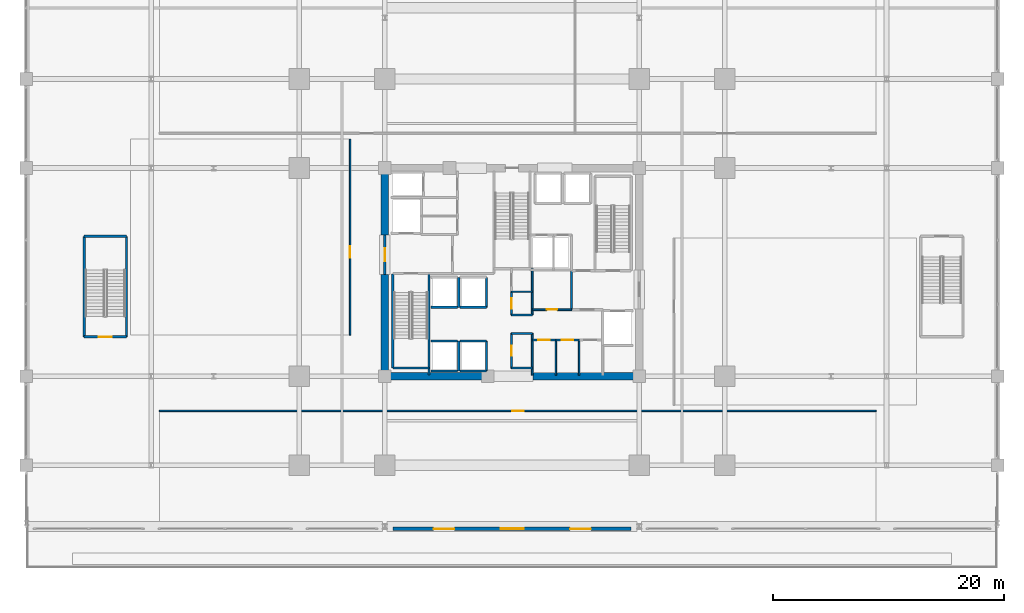
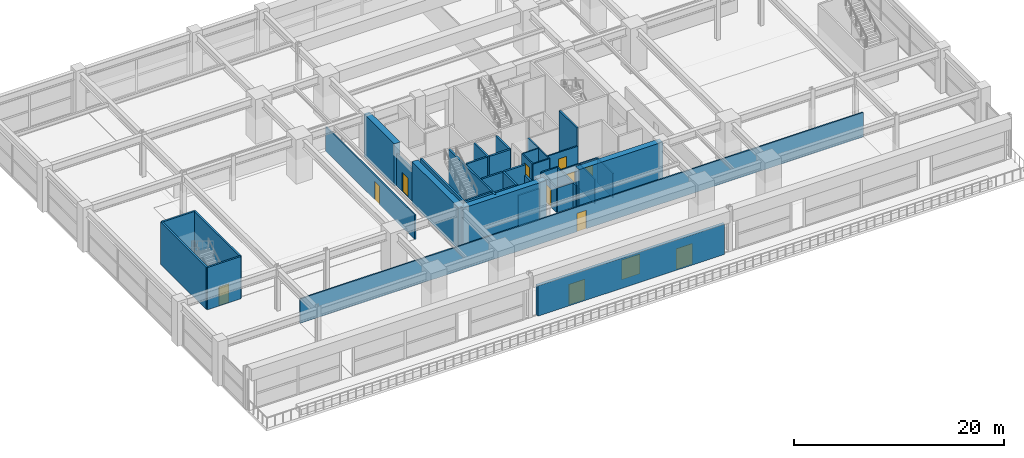
# One storey, part 35 of 43: 39 walls, 11 doors, 1 window, 12 openings.
"""IFC4 building model written with IfcOpenShell, lengths in metres."""

from ifc_helpers import new_model, si_unit, direction, frame, frame_2d, origin, place, context, subcontext, project, spatial, rectangle, extrude, material, layer, layer_set, type_object, element, fill, save


model = new_model("IFC4")

# Units and contexts
model_context = context("Model", 3, precision=1e-05, world=origin(), true_north=direction((0.0, 1.0)))
body_context = subcontext(model_context, "Body", "Model", "MODEL_VIEW")
ifc_project = project(units=[si_unit("LENGTHUNIT", "METRE"), si_unit("AREAUNIT", "SQUARE_METRE"), si_unit("VOLUMEUNIT", "CUBIC_METRE"), si_unit("PLANEANGLEUNIT", "RADIAN"), si_unit("MASSUNIT", "GRAM", prefix="KILO")], contexts=[model_context])

# Site, building, storey
site_placement = place(None, origin())
site = spatial("IfcSite", under=ifc_project, at=site_placement, CompositionType="ELEMENT")
building_placement = place(site_placement, origin())
building = spatial("IfcBuilding", under=site, at=building_placement, Name="Kovane Verandah Tower", CompositionType="ELEMENT")
storey_placement = place(building_placement, frame((0.0, 0.0, 11.199951171875)))
storey = spatial("IfcBuildingStorey", under=building, at=storey_placement, Name="L02", CompositionType="ELEMENT", Elevation=11.199951171875)

# Walls
ifc_material_1 = material(Name="Fire-Rated Gypsum Stud Partition", Category="gypsum")
ifc_layer_1 = layer(ifc_material_1, 0.14990234375)
ifc_layer_set_1 = layer_set([ifc_layer_1], Name="Fire-Rated Gypsum Stud Partition")
wall_type_1 = type_object("IfcWallType", Name="WL-COR-150", PredefinedType="PARTITIONING", material=ifc_layer_set_1)
for number, where, z_axis, x_axis, name in (
    (1, (39.949951171875, 19.199951171875, 0.0), (0.0, 0.0, 1.0), (1.0, 0.0, 0.0), "L02 Central Core Strip South Wall"),
    (2, (39.949951171875, 22.199951171875, 0.0), (0.0, 0.0, 1.0), (1.0, 0.0, 0.0), "L02 Core Cross-Passage South Wall"),
    (3, (39.949951171875, 23.800048828125, 0.0), (0.0, 0.0, 1.0), (1.0, 0.0, 0.0), "L02 Core Cross-Passage North Wall"),
):
    element("IfcWall", number, at=place(storey_placement, frame(where, z_axis=z_axis, x_axis=x_axis)), inside=storey, type_object=wall_type_1, Name=name, PredefinedType="PARTITIONING", context=body_context, shape_type="SweptSolid", body=[
        extrude(rectangle(XDim=1.81005859375, YDim=0.14990234375, at=frame_2d((0.905029296875, 0.0))), origin(), (0.0, 0.0, 1.0), 2.85009765625),
    ])
wall_1_placement = place(storey_placement, frame((41.760009765625, 18.60009765625, 0.0), z_axis=(0.0, 0.0, 1.0), x_axis=(0.0, 1.0, 0.0)))
element("IfcWall", 4, at=wall_1_placement, inside=storey, type_object=wall_type_1, Name="L02 Central Core Strip Lower East Wall", PredefinedType="PARTITIONING", context=body_context, shape_type="SweptSolid", body=[
    extrude(rectangle(XDim=3.599853515625, YDim=0.14990234375, at=frame_2d((1.7998046875, 0.0))), origin(), (0.0, 0.0, 1.0), 2.85009765625),
])
wall_2_placement = place(storey_placement, frame((41.760009765625, 23.800048828125, 0.0), z_axis=(0.0, 0.0, 1.0), x_axis=(0.0, 1.0, 0.0)))
element("IfcWall", 5, at=wall_2_placement, inside=storey, type_object=wall_type_1, Name="L02 Central Core Strip Upper East Wall", PredefinedType="PARTITIONING", context=body_context, shape_type="SweptSolid", body=[
    extrude(rectangle(XDim=4.0, YDim=0.14990234375, at=frame_2d((2.0, 0.0))), origin(), (0.0, 0.0, 1.0), 2.85009765625),
])

# Wall, opening, door
wall_3_placement = place(storey_placement, frame((39.949951171875, 19.199951171875, 0.0), z_axis=(0.0, 0.0, 1.0), x_axis=(0.0, 1.0, 0.0)))
wall_3 = element("IfcWall", 6, at=wall_3_placement, inside=storey, type_object=wall_type_1, Name="L02 Male Toilet Partition", PredefinedType="PARTITIONING", context=body_context, shape_type="SweptSolid", body=[
    extrude(rectangle(XDim=3.0, YDim=0.14990234375, at=frame_2d((1.5, 0.0))), origin(), (0.0, 0.0, 1.0), 2.85009765625),
])
opening_1_placement = place(wall_3_placement, frame((1.050048828125, 0.0, 0.0)))
opening_1 = element("IfcOpeningElement", 7, at=opening_1_placement, cuts=wall_3, Name="Opening DR-L02-029", PredefinedType="OPENING", context=body_context, shape_type="SweptSolid", body=[
    extrude(rectangle(XDim=0.89990234375, YDim=2.10009765625, at=frame_2d((0.449951171875, 1.050048828125))), frame((0.0, 0.074951171875, 0.0), z_axis=(0.0, -1.0, 0.0), x_axis=(1.0, 0.0, 0.0)), (0.0, 0.0, 1.0), 0.14990234375),
])
ifc_material_2 = material(Name="Moisture-Resistant Laminate Washroom Door", Category="wood")
door_type_1 = type_object("IfcDoorType", Name="DR-WC-900", OperationType="SINGLE_SWING_LEFT", PredefinedType="DOOR", material=ifc_material_2)
door_1_placement = place(opening_1_placement, origin())
door_1 = element("IfcDoor", 8, at=door_1_placement, inside=storey, type_object=door_type_1, Name="L02 Male Toilet Door", OperationType="SINGLE_SWING_LEFT", OverallHeight=2.10009765625, OverallWidth=0.89990234375, PredefinedType="DOOR", context=body_context, shape_type="SweptSolid", body=[
    extrude(rectangle(XDim=0.89990234375, YDim=2.10009765625, at=frame_2d((0.449951171875, 1.050048828125))), frame((0.0, 0.02490234375, 0.0), z_axis=(0.0, -1.0, 0.0), x_axis=(1.0, 0.0, 0.0)), (0.0, 0.0, 1.0), 0.050048828125),
])
fill(opening_1, door_1)

wall_4_placement = place(storey_placement, frame((39.949951171875, 23.800048828125, 0.0), z_axis=(0.0, 0.0, 1.0), x_axis=(0.0, 1.0, 0.0)))
wall_4 = element("IfcWall", 9, at=wall_4_placement, inside=storey, type_object=wall_type_1, Name="L02 Female Toilet Partition", PredefinedType="PARTITIONING", context=body_context, shape_type="SweptSolid", body=[
    extrude(rectangle(XDim=2.0, YDim=0.14990234375, at=frame_2d((1.0, 0.0))), origin(), (0.0, 0.0, 1.0), 2.85009765625),
])
opening_2_placement = place(wall_4_placement, frame((0.550048828125, 0.0, 0.0)))
opening_2 = element("IfcOpeningElement", 10, at=opening_2_placement, cuts=wall_4, Name="Opening DR-L02-028", PredefinedType="OPENING", context=body_context, shape_type="SweptSolid", body=[
    extrude(rectangle(XDim=0.89990234375, YDim=2.10009765625, at=frame_2d((0.449951171875, 1.050048828125))), frame((0.0, 0.074951171875, 0.0), z_axis=(0.0, -1.0, 0.0), x_axis=(1.0, 0.0, 0.0)), (0.0, 0.0, 1.0), 0.14990234375),
])
door_2_placement = place(opening_2_placement, origin())
door_2 = element("IfcDoor", 11, at=door_2_placement, inside=storey, type_object=door_type_1, Name="L02 Female Toilet Door", OperationType="SINGLE_SWING_RIGHT", OverallHeight=2.10009765625, OverallWidth=0.89990234375, PredefinedType="DOOR", context=body_context, shape_type="SweptSolid", body=[
    extrude(rectangle(XDim=0.89990234375, YDim=2.10009765625, at=frame_2d((0.449951171875, 1.050048828125))), frame((0.0, 0.02490234375, 0.0), z_axis=(0.0, -1.0, 0.0), x_axis=(1.0, 0.0, 0.0)), (0.0, 0.0, 1.0), 0.050048828125),
])
fill(opening_2, door_2)

wall_5_placement = place(storey_placement, frame((41.760009765625, 21.6201171875, 0.0), z_axis=(0.0, 0.0, 1.0), x_axis=(1.0, 0.0, 0.0)))
wall_5 = element("IfcWall", 12, at=wall_5_placement, inside=storey, type_object=wall_type_1, Name="L02 Mail and Copy Room Partition", PredefinedType="PARTITIONING", context=body_context, shape_type="SweptSolid", body=[
    extrude(rectangle(XDim=2.0400390625, YDim=0.14990234375, at=frame_2d((1.02001953125, 0.0))), origin(), (0.0, 0.0, 1.0), 2.85009765625),
])
opening_3_placement = place(wall_5_placement, frame((0.52001953125, 0.0, 0.0)))
opening_3 = element("IfcOpeningElement", 13, at=opening_3_placement, cuts=wall_5, Name="Opening DR-L02-016", PredefinedType="OPENING", context=body_context, shape_type="SweptSolid", body=[
    extrude(rectangle(XDim=1.0, YDim=2.14990234375, at=frame_2d((0.5, 1.074951171875))), frame((0.0, 0.074951171875, 0.0), z_axis=(0.0, -1.0, 0.0), x_axis=(1.0, 0.0, 0.0)), (0.0, 0.0, 1.0), 0.14990234375),
])
ifc_material_3 = material(Name="FSC Spotted-Gum Timber Fire-Rated Office Door", Category="wood")
door_type_2 = type_object("IfcDoorType", Name="DR-OFF-1000", OperationType="SINGLE_SWING_LEFT", PredefinedType="DOOR", material=ifc_material_3)
door_3_placement = place(opening_3_placement, origin())
door_3 = element("IfcDoor", 14, at=door_3_placement, inside=storey, type_object=door_type_2, Name="L02 Mail and Copy Room Door", OperationType="SINGLE_SWING_LEFT", OverallHeight=2.14990234375, OverallWidth=1.0, PredefinedType="DOOR", context=body_context, shape_type="SweptSolid", body=[
    extrude(rectangle(XDim=1.0, YDim=2.14990234375, at=frame_2d((0.5, 1.074951171875))), frame((0.0, 0.02490234375, 0.0), z_axis=(0.0, -1.0, 0.0), x_axis=(1.0, 0.0, 0.0)), (0.0, 0.0, 1.0), 0.050048828125),
])
fill(opening_3, door_3)

wall_6_placement = place(storey_placement, frame((43.800048828125, 21.6201171875, 0.0), z_axis=(0.0, 0.0, 1.0), x_axis=(1.0, 0.0, 0.0)))
wall_6 = element("IfcWall", 15, at=wall_6_placement, inside=storey, type_object=wall_type_1, Name="L02 First Aid Room Partition", PredefinedType="PARTITIONING", context=body_context, shape_type="SweptSolid", body=[
    extrude(rectangle(XDim=2.0, YDim=0.14990234375, at=frame_2d((1.0, 0.0))), origin(), (0.0, 0.0, 1.0), 2.85009765625),
])
opening_4_placement = place(wall_6_placement, frame((0.5, 0.0, 0.0)))
opening_4 = element("IfcOpeningElement", 16, at=opening_4_placement, cuts=wall_6, Name="Opening DR-L02-017", PredefinedType="OPENING", context=body_context, shape_type="SweptSolid", body=[
    extrude(rectangle(XDim=1.0, YDim=2.14990234375, at=frame_2d((0.5, 1.074951171875))), frame((0.0, 0.074951171875, 0.0), z_axis=(0.0, -1.0, 0.0), x_axis=(1.0, 0.0, 0.0)), (0.0, 0.0, 1.0), 0.14990234375),
])
door_4_placement = place(opening_4_placement, origin())
door_4 = element("IfcDoor", 17, at=door_4_placement, inside=storey, type_object=door_type_2, Name="L02 First Aid Room Door", OperationType="SINGLE_SWING_RIGHT", OverallHeight=2.14990234375, OverallWidth=1.0, PredefinedType="DOOR", context=body_context, shape_type="SweptSolid", body=[
    extrude(rectangle(XDim=1.0, YDim=2.14990234375, at=frame_2d((0.5, 1.074951171875))), frame((0.0, 0.02490234375, 0.0), z_axis=(0.0, -1.0, 0.0), x_axis=(1.0, 0.0, 0.0)), (0.0, 0.0, 1.0), 0.050048828125),
])
fill(opening_4, door_4)

wall_7_placement = place(storey_placement, frame((41.760009765625, 24.25, 0.0), z_axis=(0.0, 0.0, 1.0), x_axis=(1.0, 0.0, 0.0)))
wall_7 = element("IfcWall", 18, at=wall_7_placement, inside=storey, type_object=wall_type_1, Name="L02 Supply Store Partition", PredefinedType="PARTITIONING", context=body_context, shape_type="SweptSolid", body=[
    extrude(rectangle(XDim=3.389892578125, YDim=0.14990234375, at=frame_2d((1.69482421875, 0.0))), origin(), (0.0, 0.0, 1.0), 2.85009765625),
])
opening_5_placement = place(wall_7_placement, frame((1.2548828125, 0.0, 0.0)))
opening_5 = element("IfcOpeningElement", 19, at=opening_5_placement, cuts=wall_7, Name="Opening DR-L02-019", PredefinedType="OPENING", context=body_context, shape_type="SweptSolid", body=[
    extrude(rectangle(XDim=0.8798828125, YDim=2.10009765625, at=frame_2d((0.43994140625, 1.050048828125))), frame((0.0, 0.074951171875, 0.0), z_axis=(0.0, -1.0, 0.0), x_axis=(1.0, 0.0, 0.0)), (0.0, 0.0, 1.0), 0.14990234375),
])
ifc_material_4 = material(Name="Fire-Rated Steel Riser Access Door", Category="steel")
door_type_3 = type_object("IfcDoorType", Name="DR-RISER-880", OperationType="SINGLE_SWING_LEFT", PredefinedType="DOOR", material=ifc_material_4)
door_5_placement = place(opening_5_placement, origin())
door_5 = element("IfcDoor", 20, at=door_5_placement, inside=storey, type_object=door_type_3, Name="L02 Supply Store Door", OperationType="SINGLE_SWING_RIGHT", OverallHeight=2.10009765625, OverallWidth=0.8798828125, PredefinedType="DOOR", context=body_context, shape_type="SweptSolid", body=[
    extrude(rectangle(XDim=0.8798828125, YDim=2.10009765625, at=frame_2d((0.43994140625, 1.050048828125))), frame((0.0, 0.02490234375, 0.0), z_axis=(0.0, -1.0, 0.0), x_axis=(1.0, 0.0, 0.0)), (0.0, 0.0, 1.0), 0.050048828125),
])
fill(opening_5, door_5)

wall_8_placement = place(storey_placement, frame((9.5, 15.5, 0.0), z_axis=(0.0, 0.0, 1.0), x_axis=(1.0, 0.0, 0.0)))
wall_8 = element("IfcWall", 21, at=wall_8_placement, inside=storey, type_object=wall_type_1, Name="L02 South Exhibition Gallery Corridor Partition", PredefinedType="PARTITIONING", context=body_context, shape_type="SweptSolid", body=[
    extrude(rectangle(XDim=62.0, YDim=0.14990234375, at=frame_2d((31.0, 0.0))), origin(), (0.0, 0.0, 1.0), 2.85009765625),
])
opening_6_placement = place(wall_8_placement, frame((30.5, 0.0, 0.0)))
opening_6 = element("IfcOpeningElement", 22, at=opening_6_placement, cuts=wall_8, Name="Opening DR-L02-024", PredefinedType="OPENING", context=body_context, shape_type="SweptSolid", body=[
    extrude(rectangle(XDim=1.0, YDim=2.14990234375, at=frame_2d((0.5, 1.074951171875))), frame((0.0, 0.074951171875, 0.0), z_axis=(0.0, -1.0, 0.0), x_axis=(1.0, 0.0, 0.0)), (0.0, 0.0, 1.0), 0.14990234375),
])
door_6_placement = place(opening_6_placement, origin())
door_6 = element("IfcDoor", 23, at=door_6_placement, inside=storey, type_object=door_type_2, Name="L02 South Exhibition Gallery Entrance Door", OperationType="SINGLE_SWING_LEFT", OverallHeight=2.14990234375, OverallWidth=1.0, PredefinedType="DOOR", context=body_context, shape_type="SweptSolid", body=[
    extrude(rectangle(XDim=1.0, YDim=2.14990234375, at=frame_2d((0.5, 1.074951171875))), frame((0.0, 0.02490234375, 0.0), z_axis=(0.0, -1.0, 0.0), x_axis=(1.0, 0.0, 0.0)), (0.0, 0.0, 1.0), 0.050048828125),
])
fill(opening_6, door_6)

wall_9_placement = place(storey_placement, frame((26.0, 22.050048828125, 0.0), z_axis=(0.0, 0.0, 1.0), x_axis=(0.0, 1.0, 0.0)))
wall_9 = element("IfcWall", 24, at=wall_9_placement, inside=storey, type_object=wall_type_1, Name="L02 West Client Advisory Suite Corridor Partition", PredefinedType="PARTITIONING", context=body_context, shape_type="SweptSolid", body=[
    extrude(rectangle(XDim=16.949951171875, YDim=0.14990234375, at=frame_2d((8.47509765625, 0.0))), origin(), (0.0, 0.0, 1.0), 2.85009765625),
])
opening_7_placement = place(wall_9_placement, frame((6.675048828125, 0.0, 0.0)))
opening_7 = element("IfcOpeningElement", 25, at=opening_7_placement, cuts=wall_9, Name="Opening DR-L02-026", PredefinedType="OPENING", context=body_context, shape_type="SweptSolid", body=[
    extrude(rectangle(XDim=1.0, YDim=2.14990234375, at=frame_2d((0.5, 1.074951171875))), frame((0.0, 0.074951171875, 0.0), z_axis=(0.0, -1.0, 0.0), x_axis=(1.0, 0.0, 0.0)), (0.0, 0.0, 1.0), 0.14990234375),
])
door_7_placement = place(opening_7_placement, origin())
door_7 = element("IfcDoor", 26, at=door_7_placement, inside=storey, type_object=door_type_2, Name="L02 West Client Advisory Suite Entrance Door", OperationType="SINGLE_SWING_RIGHT", OverallHeight=2.14990234375, OverallWidth=1.0, PredefinedType="DOOR", context=body_context, shape_type="SweptSolid", body=[
    extrude(rectangle(XDim=1.0, YDim=2.14990234375, at=frame_2d((0.5, 1.074951171875))), frame((0.0, 0.02490234375, 0.0), z_axis=(0.0, -1.0, 0.0), x_axis=(1.0, 0.0, 0.0)), (0.0, 0.0, 1.0), 0.050048828125),
])
fill(opening_7, door_7)

# Walls
ifc_material_5 = material(Name="Concrete C80/95", Category="concrete")
ifc_layer_2 = layer(ifc_material_5, 0.64990234375)
ifc_layer_set_2 = layer_set([ifc_layer_2], Name="Concrete C80/95")
wall_type_2 = type_object("IfcWallType", Name="WL-CORE-650", PredefinedType="SHEAR", material=ifc_layer_set_2)
for number, where, z_axis, x_axis, name in (
    (27, (29.0, 18.5, 0.0), (0.0, 0.0, 1.0), (1.0, 0.0, 0.0), "L02 Core Shear Wall CS-1"),
    (28, (41.800048828125, 18.5, 0.0), (0.0, 0.0, 1.0), (1.0, 0.0, 0.0), "L02 Core Shear Wall CS-2"),
):
    element("IfcWall", number, at=place(storey_placement, frame(where, z_axis=z_axis, x_axis=x_axis)), inside=storey, type_object=wall_type_2, Name=name, PredefinedType="SHEAR", context=body_context, shape_type="SweptSolid", body=[
        extrude(rectangle(XDim=9.199951171875, YDim=0.64990234375, at=frame_2d((4.60009765625, 0.0))), origin(), (0.0, 0.0, 1.0), 4.920166015625),
    ])
wall_10_placement = place(storey_placement, frame((29.0, 18.5, 0.0), z_axis=(0.0, 0.0, 1.0), x_axis=(0.0, 1.0, 0.0)))
element("IfcWall", 29, at=wall_10_placement, inside=storey, type_object=wall_type_2, Name="L02 Core Shear Wall CW-1", PredefinedType="SHEAR", context=body_context, shape_type="SweptSolid", body=[
    extrude(rectangle(XDim=8.800048828125, YDim=0.64990234375, at=frame_2d((4.39990234375, 0.0))), origin(), (0.0, 0.0, 1.0), 4.920166015625),
])
wall_11_placement = place(storey_placement, frame((29.0, 30.699951171875, 0.0), z_axis=(0.0, 0.0, 1.0), x_axis=(0.0, 1.0, 0.0)))
element("IfcWall", 30, at=wall_11_placement, inside=storey, type_object=wall_type_2, Name="L02 Core Shear Wall CW-2", PredefinedType="SHEAR", context=body_context, shape_type="SweptSolid", body=[
    extrude(rectangle(XDim=5.800048828125, YDim=0.64990234375, at=frame_2d((2.89990234375, 0.0))), origin(), (0.0, 0.0, 1.0), 4.920166015625),
])

# Wall, opening, door
ifc_material_6 = material(Name="Concrete C45/55 Fire Wall", Category="concrete")
ifc_layer_3 = layer(ifc_material_6, 0.199951171875)
ifc_layer_set_3 = layer_set([ifc_layer_3], Name="Concrete C45/55 Fire Wall")
wall_type_3 = type_object("IfcWallType", Name="WL-FFL-200", PredefinedType="PARTITIONING", material=ifc_layer_set_3)
wall_12_placement = place(storey_placement, frame((29.0, 27.300048828125, 0.0), z_axis=(0.0, 0.0, 1.0), x_axis=(0.0, 1.0, 0.0)))
wall_12 = element("IfcWall", 31, at=wall_12_placement, inside=storey, type_object=wall_type_3, Name="W-L02-FFLW-OUT", PredefinedType="PARTITIONING", context=body_context, shape_type="SweptSolid", body=[
    extrude(rectangle(XDim=3.39990234375, YDim=0.199951171875, at=frame_2d((1.699951171875, 0.0))), origin(), (0.0, 0.0, 1.0), 3.699951171875),
])
opening_8_placement = place(wall_12_placement, frame((1.125, 0.0, 0.0)))
opening_8 = element("IfcOpeningElement", 32, at=opening_8_placement, cuts=wall_12, Name="Opening DR-L02-005", PredefinedType="OPENING", context=body_context, shape_type="SweptSolid", body=[
    extrude(rectangle(XDim=1.14990234375, YDim=2.199951171875, at=frame_2d((0.574951171875, 1.10009765625))), frame((0.0, 0.10009765625, 0.0), z_axis=(0.0, -1.0, 0.0), x_axis=(1.0, 0.0, 0.0)), (0.0, 0.0, 1.0), 0.199951171875),
])
ifc_material_7 = material(Name="Smoke-Sealed Firefighting Lobby Door", Category="steel")
door_type_4 = type_object("IfcDoorType", Name="DR-FFL-1150", OperationType="SINGLE_SWING_LEFT", PredefinedType="DOOR", material=ifc_material_7)
door_8_placement = place(opening_8_placement, origin())
door_8 = element("IfcDoor", 33, at=door_8_placement, inside=storey, type_object=door_type_4, Name="L02 West Firefighting Lobby Corridor Door", OperationType="SINGLE_SWING_RIGHT", OverallHeight=2.199951171875, OverallWidth=1.14990234375, PredefinedType="DOOR", context=body_context, shape_type="SweptSolid", body=[
    extrude(rectangle(XDim=1.14990234375, YDim=2.199951171875, at=frame_2d((0.574951171875, 1.10009765625))), frame((0.0, 0.02490234375, 0.0), z_axis=(0.0, -1.0, 0.0), x_axis=(1.0, 0.0, 0.0)), (0.0, 0.0, 1.0), 0.050048828125),
])
fill(opening_8, door_8)

# Walls
wall_13_placement = place(storey_placement, frame((45.14990234375, 24.25, 0.0), z_axis=(0.0, 0.0, 1.0), x_axis=(0.0, 1.0, 0.0)))
element("IfcWall", 34, at=wall_13_placement, inside=storey, type_object=wall_type_3, Name="L02 East Firefighting Lobby West Fire Wall", PredefinedType="PARTITIONING", context=body_context, shape_type="SweptSolid", body=[
    extrude(rectangle(XDim=3.3701171875, YDim=0.199951171875, at=frame_2d((1.68505859375, 0.0))), origin(), (0.0, 0.0, 1.0), 4.920166015625),
])
ifc_material_8 = material(Name="Concrete C45/55 Lift Shaft Wall", Category="concrete")
ifc_layer_4 = layer(ifc_material_8, 0.199951171875)
ifc_layer_set_4 = layer_set([ifc_layer_4], Name="Concrete C45/55 Lift Shaft Wall")
wall_type_4 = type_object("IfcWallType", Name="WL-LIFT-200", PredefinedType="SOLIDWALL", material=ifc_layer_set_4)
for number, where, z_axis, x_axis, name in (
    (35, (33.0, 18.949951171875, 0.0), (0.0, 0.0, 1.0), (1.0, 0.0, 0.0), "L02 Lift PL-L1 S Shaft Wall"),
    (36, (35.300048828125, 21.550048828125, 0.0), (0.0, 0.0, 1.0), (-1.0, 0.0, 0.0), "L02 Lift PL-L1 N Shaft Wall"),
):
    element("IfcWall", number, at=place(storey_placement, frame(where, z_axis=z_axis, x_axis=x_axis)), inside=storey, type_object=wall_type_4, Name=name, PredefinedType="SOLIDWALL", context=body_context, shape_type="SweptSolid", body=[
        extrude(rectangle(XDim=2.300048828125, YDim=0.199951171875, at=frame_2d((1.14990234375, 0.0))), origin(), (0.0, 0.0, 1.0), 4.920166015625),
    ])
wall_14_placement = place(storey_placement, frame((35.39990234375, 18.949951171875, 0.0), z_axis=(0.0, 0.0, 1.0), x_axis=(0.0, 1.0, 0.0)))
element("IfcWall", 37, at=wall_14_placement, inside=storey, type_object=wall_type_4, Name="L02 Lift PL-L1 and PL-L2 Shared Shaft Wall", PredefinedType="SOLIDWALL", context=body_context, shape_type="SweptSolid", body=[
    extrude(rectangle(XDim=2.60009765625, YDim=0.199951171875, at=frame_2d((1.300048828125, 0.0))), origin(), (0.0, 0.0, 1.0), 4.920166015625),
])
wall_15_placement = place(storey_placement, frame((35.5, 18.949951171875, 0.0), z_axis=(0.0, 0.0, 1.0), x_axis=(1.0, 0.0, 0.0)))
element("IfcWall", 38, at=wall_15_placement, inside=storey, type_object=wall_type_4, Name="L02 Lift PL-L2 S Shaft Wall", PredefinedType="SOLIDWALL", context=body_context, shape_type="SweptSolid", body=[
    extrude(rectangle(XDim=2.300048828125, YDim=0.199951171875, at=frame_2d((1.14990234375, 0.0))), origin(), (0.0, 0.0, 1.0), 3.699951171875),
])
wall_16_placement = place(storey_placement, frame((37.800048828125, 21.550048828125, 0.0), z_axis=(0.0, 0.0, 1.0), x_axis=(-1.0, 0.0, 0.0)))
element("IfcWall", 39, at=wall_16_placement, inside=storey, type_object=wall_type_4, Name="L02 Lift PL-L2 N Shaft Wall", PredefinedType="SOLIDWALL", context=body_context, shape_type="SweptSolid", body=[
    extrude(rectangle(XDim=2.300048828125, YDim=0.199951171875, at=frame_2d((1.14990234375, 0.0))), origin(), (0.0, 0.0, 1.0), 4.920166015625),
])
wall_17_placement = place(storey_placement, frame((37.800048828125, 18.949951171875, 0.0), z_axis=(0.0, 0.0, 1.0), x_axis=(0.0, 1.0, 0.0)))
element("IfcWall", 40, at=wall_17_placement, inside=storey, type_object=wall_type_4, Name="L02 Lift PL-L2 E Shaft Wall", PredefinedType="SOLIDWALL", context=body_context, shape_type="SweptSolid", body=[
    extrude(rectangle(XDim=2.60009765625, YDim=0.199951171875, at=frame_2d((1.300048828125, 0.0))), origin(), (0.0, 0.0, 1.0), 3.699951171875),
])
wall_18_placement = place(storey_placement, frame((33.0, 24.449951171875, 0.0), z_axis=(0.0, 0.0, 1.0), x_axis=(1.0, 0.0, 0.0)))
element("IfcWall", 41, at=wall_18_placement, inside=storey, type_object=wall_type_4, Name="L02 Lift PL-L3 S Shaft Wall", PredefinedType="SOLIDWALL", context=body_context, shape_type="SweptSolid", body=[
    extrude(rectangle(XDim=2.300048828125, YDim=0.199951171875, at=frame_2d((1.14990234375, 0.0))), origin(), (0.0, 0.0, 1.0), 4.920166015625),
])
wall_19_placement = place(storey_placement, frame((35.39990234375, 24.449951171875, 0.0), z_axis=(0.0, 0.0, 1.0), x_axis=(0.0, 1.0, 0.0)))
element("IfcWall", 42, at=wall_19_placement, inside=storey, type_object=wall_type_4, Name="L02 Lift PL-L3 and PL-L4 Shared Shaft Wall", PredefinedType="SOLIDWALL", context=body_context, shape_type="SweptSolid", body=[
    extrude(rectangle(XDim=2.60009765625, YDim=0.199951171875, at=frame_2d((1.300048828125, 0.0))), origin(), (0.0, 0.0, 1.0), 4.920166015625),
])
wall_20_placement = place(storey_placement, frame((35.5, 24.449951171875, 0.0), z_axis=(0.0, 0.0, 1.0), x_axis=(1.0, 0.0, 0.0)))
element("IfcWall", 43, at=wall_20_placement, inside=storey, type_object=wall_type_4, Name="L02 Lift PL-L4 S Shaft Wall", PredefinedType="SOLIDWALL", context=body_context, shape_type="SweptSolid", body=[
    extrude(rectangle(XDim=2.300048828125, YDim=0.199951171875, at=frame_2d((1.14990234375, 0.0))), origin(), (0.0, 0.0, 1.0), 4.920166015625),
])
wall_21_placement = place(storey_placement, frame((37.800048828125, 24.449951171875, 0.0), z_axis=(0.0, 0.0, 1.0), x_axis=(0.0, 1.0, 0.0)))
element("IfcWall", 44, at=wall_21_placement, inside=storey, type_object=wall_type_4, Name="L02 Lift PL-L4 E Shaft Wall", PredefinedType="SOLIDWALL", context=body_context, shape_type="SweptSolid", body=[
    extrude(rectangle(XDim=2.60009765625, YDim=0.199951171875, at=frame_2d((1.300048828125, 0.0))), origin(), (0.0, 0.0, 1.0), 4.920166015625),
])
ifc_material_9 = material(Name="Acoustic Fire-Rated Gypsum Partition", Category="gypsum")
ifc_layer_5 = layer(ifc_material_9, 0.1201171875)
ifc_layer_set_5 = layer_set([ifc_layer_5], Name="Acoustic Fire-Rated Gypsum Partition")
wall_type_5 = type_object("IfcWallType", Name="WL-PART-120", PredefinedType="PARTITIONING", material=ifc_layer_set_5)
wall_22_placement = place(storey_placement, frame((39.949951171875, 25.800048828125, 0.0), z_axis=(0.0, 0.0, 1.0), x_axis=(1.0, 0.0, 0.0)))
element("IfcWall", 45, at=wall_22_placement, inside=storey, type_object=wall_type_5, Name="L02 Central Core Strip Upper Dividing Partition", PredefinedType="PARTITIONING", context=body_context, shape_type="SweptSolid", body=[
    extrude(rectangle(XDim=1.81005859375, YDim=0.1201171875, at=frame_2d((0.905029296875, 0.0))), origin(), (0.0, 0.0, 1.0), 2.85009765625),
])
for number, where, z_axis, x_axis, name in (
    (46, (43.800048828125, 18.60009765625, 0.0), (0.0, 0.0, 1.0), (0.0, 1.0, 0.0), "L02 East Core Support Dividing Partition 1"),
    (47, (45.800048828125, 18.60009765625, 0.0), (0.0, 0.0, 1.0), (0.0, 1.0, 0.0), "L02 East Core Support Dividing Partition 2"),
):
    element("IfcWall", number, at=place(storey_placement, frame(where, z_axis=z_axis, x_axis=x_axis)), inside=storey, type_object=wall_type_5, Name=name, PredefinedType="PARTITIONING", context=body_context, shape_type="SweptSolid", body=[
        extrude(rectangle(XDim=3.02001953125, YDim=0.1201171875, at=frame_2d((1.510009765625, 0.0))), origin(), (0.0, 0.0, 1.0), 2.85009765625),
    ])

# Wall, openings, doors, window
ifc_material_10 = material(Name="Concrete C45/55 Podium Facade Wall", Category="concrete")
ifc_layer_6 = layer(ifc_material_10, 0.320068359375)
ifc_layer_set_6 = layer_set([ifc_layer_6], Name="Concrete C45/55 Podium Facade Wall")
wall_type_6 = type_object("IfcWallType", Name="WL-POD-320", PredefinedType="SOLIDWALL", material=ifc_layer_set_6)
wall_23_placement = place(storey_placement, frame((29.719970703125, 5.300048828125, 0.0), z_axis=(0.0, 0.0, 1.0), x_axis=(1.0, 0.0, 0.0)))
wall_23 = element("IfcWall", 48, at=wall_23_placement, inside=storey, type_object=wall_type_6, Name="L02 South Cascading Terrace Access Wall", PredefinedType="SOLIDWALL", context=body_context, shape_type="SweptSolid", body=[
    extrude(rectangle(XDim=20.56005859375, YDim=0.320068359375, at=frame_2d((10.280029296875, 0.0))), origin(), (0.0, 0.0, 1.0), 3.530029296875),
])
opening_9_placement = place(wall_23_placement, frame((3.5, 0.0, 0.0)))
opening_9 = element("IfcOpeningElement", 49, at=opening_9_placement, cuts=wall_23, Name="Opening DR-L02-012", PredefinedType="OPENING", context=body_context, shape_type="SweptSolid", body=[
    extrude(rectangle(XDim=1.800048828125, YDim=2.39990234375, at=frame_2d((0.89990234375, 1.199951171875))), frame((0.0, 0.16015625, 0.0), z_axis=(0.0, -1.0, 0.0), x_axis=(1.0, 0.0, 0.0)), (0.0, 0.0, 1.0), 0.320068359375),
])
opening_10_placement = place(wall_23_placement, frame((9.300048828125, 0.0, 0.89990234375)))
opening_10 = element("IfcOpeningElement", 50, at=opening_10_placement, cuts=wall_23, Name="Opening W-04", PredefinedType="OPENING", context=body_context, shape_type="SweptSolid", body=[
    extrude(rectangle(XDim=2.0, YDim=2.300048828125, at=frame_2d((1.0, 1.14990234375))), frame((0.0, 0.16015625, 0.0), z_axis=(0.0, -1.0, 0.0), x_axis=(1.0, 0.0, 0.0)), (0.0, 0.0, 1.0), 0.320068359375),
])
opening_11_placement = place(wall_23_placement, frame((15.300048828125, 0.0, 0.0)))
opening_11 = element("IfcOpeningElement", 51, at=opening_11_placement, cuts=wall_23, Name="Opening DR-L02-013", PredefinedType="OPENING", context=body_context, shape_type="SweptSolid", body=[
    extrude(rectangle(XDim=1.800048828125, YDim=2.39990234375, at=frame_2d((0.89990234375, 1.199951171875))), frame((0.0, 0.16015625, 0.0), z_axis=(0.0, -1.0, 0.0), x_axis=(1.0, 0.0, 0.0)), (0.0, 0.0, 1.0), 0.320068359375),
])
ifc_material_11 = material(Name="Cyclone-Rated Glazed Verandah Double Door", Category="aluminium")
door_type_5 = type_object("IfcDoorType", Name="DR-TERR-1800x2400", OperationType="DOUBLE_DOOR_SINGLE_SWING", PredefinedType="DOOR", material=ifc_material_11)
door_9_placement = place(opening_9_placement, origin())
door_9 = element("IfcDoor", 52, at=door_9_placement, inside=storey, type_object=door_type_5, Name="L02 Garden Step Terrace Door 1", OperationType="DOUBLE_DOOR_SINGLE_SWING", OverallHeight=2.39990234375, OverallWidth=1.800048828125, PredefinedType="DOOR", context=body_context, shape_type="SweptSolid", body=[
    extrude(rectangle(XDim=1.800048828125, YDim=2.39990234375, at=frame_2d((0.89990234375, 1.199951171875))), frame((0.0, 0.02490234375, 0.0), z_axis=(0.0, -1.0, 0.0), x_axis=(1.0, 0.0, 0.0)), (0.0, 0.0, 1.0), 0.050048828125),
])
fill(opening_9, door_9)
door_10_placement = place(opening_11_placement, origin())
door_10 = element("IfcDoor", 53, at=door_10_placement, inside=storey, type_object=door_type_5, Name="L02 Garden Step Terrace Door 2", OperationType="DOUBLE_DOOR_SINGLE_SWING", OverallHeight=2.39990234375, OverallWidth=1.800048828125, PredefinedType="DOOR", context=body_context, shape_type="SweptSolid", body=[
    extrude(rectangle(XDim=1.800048828125, YDim=2.39990234375, at=frame_2d((0.89990234375, 1.199951171875))), frame((0.0, 0.02490234375, 0.0), z_axis=(0.0, -1.0, 0.0), x_axis=(1.0, 0.0, 0.0)), (0.0, 0.0, 1.0), 0.050048828125),
])
fill(opening_11, door_10)
ifc_material_12 = material(Name="Clear Low-E Laminated Double Glazing in Anodised Frame", Category="glass")
window_type = type_object("IfcWindowType", Name="WN-FIXED-2000x2300", PartitioningType="SINGLE_PANEL", PredefinedType="WINDOW", material=ifc_material_12)
window_placement = place(opening_10_placement, origin())
window = element("IfcWindow", 54, at=window_placement, inside=storey, type_object=window_type, Name="L02 South Terrace View Window", OverallHeight=2.300048828125, OverallWidth=2.0, PartitioningType="SINGLE_PANEL", PredefinedType="WINDOW", context=body_context, shape_type="SweptSolid", body=[
    extrude(rectangle(XDim=2.0, YDim=2.300048828125, at=frame_2d((1.0, 1.14990234375))), frame((0.0, 0.030029296875, 0.0), z_axis=(0.0, -1.0, 0.0), x_axis=(1.0, 0.0, 0.0)), (0.0, 0.0, 1.0), 0.06005859375),
])
fill(opening_10, window)

# Walls
ifc_material_13 = material(Name="Concrete C45/55", Category="concrete")
ifc_layer_7 = layer(ifc_material_13, 0.199951171875)
ifc_layer_set_7 = layer_set([ifc_layer_7], Name="Concrete C45/55")
wall_type_7 = type_object("IfcWallType", Name="WL-SHAFT-200", PredefinedType="SOLIDWALL", material=ifc_layer_set_7)
wall_24_placement = place(storey_placement, frame((29.699951171875, 19.199951171875, 0.0), z_axis=(0.0, 0.0, 1.0), x_axis=(0.0, 1.0, 0.0)))
element("IfcWall", 55, at=wall_24_placement, inside=storey, type_object=wall_type_7, Name="W-L02-ST01-W", PredefinedType="SOLIDWALL", context=body_context, shape_type="SweptSolid", body=[
    extrude(rectangle(XDim=8.150146484375, YDim=0.199951171875, at=frame_2d((4.0751953125, 0.0))), origin(), (0.0, 0.0, 1.0), 4.920166015625),
])
wall_25_placement = place(storey_placement, frame((29.699951171875, 19.199951171875, 0.0), z_axis=(0.0, 0.0, 1.0), x_axis=(1.0, 0.0, 0.0)))
element("IfcWall", 56, at=wall_25_placement, inside=storey, type_object=wall_type_7, Name="W-L02-ST01-S", PredefinedType="SOLIDWALL", context=body_context, shape_type="SweptSolid", body=[
    extrude(rectangle(XDim=3.1201171875, YDim=0.199951171875, at=frame_2d((1.56005859375, 0.0))), origin(), (0.0, 0.0, 1.0), 4.920166015625),
])
wall_26_placement = place(storey_placement, frame((32.820068359375, 18.60009765625, 0.0), z_axis=(0.0, 0.0, 1.0), x_axis=(0.0, 1.0, 0.0)))
element("IfcWall", 57, at=wall_26_placement, inside=storey, type_object=wall_type_7, Name="W-L02-ST01-E", PredefinedType="SOLIDWALL", context=body_context, shape_type="SweptSolid", body=[
    extrude(rectangle(XDim=8.77978515625, YDim=0.199951171875, at=frame_2d((4.389892578125, 0.0))), origin(), (0.0, 0.0, 1.0), 4.920166015625),
])
for number, where, z_axis, x_axis, name in (
    (58, (3.0, 21.89990234375, 0.0), (0.0, 0.0, 1.0), (0.0, 1.0, 0.0), "W-L02-ST-04-W"),
    (59, (6.659912109375, 21.89990234375, 0.0), (0.0, 0.0, 1.0), (0.0, 1.0, 0.0), "W-L02-ST-04-E"),
):
    element("IfcWall", number, at=place(storey_placement, frame(where, z_axis=z_axis, x_axis=x_axis)), inside=storey, type_object=wall_type_7, Name=name, PredefinedType="SOLIDWALL", context=body_context, shape_type="SweptSolid", body=[
        extrude(rectangle(XDim=8.7001953125, YDim=0.199951171875, at=frame_2d((4.35009765625, 0.0))), origin(), (0.0, 0.0, 1.0), 4.920166015625),
    ])
wall_27_placement = place(storey_placement, frame((3.0, 30.60009765625, 0.0), z_axis=(0.0, 0.0, 1.0), x_axis=(1.0, 0.0, 0.0)))
element("IfcWall", 60, at=wall_27_placement, inside=storey, type_object=wall_type_7, Name="W-L02-ST-04-N", PredefinedType="SOLIDWALL", context=body_context, shape_type="SweptSolid", body=[
    extrude(rectangle(XDim=3.659912109375, YDim=0.199951171875, at=frame_2d((1.830078125, 0.0))), origin(), (0.0, 0.0, 1.0), 4.920166015625),
])

# Wall, opening, door
wall_28_placement = place(storey_placement, frame((3.0, 21.89990234375, 0.0), z_axis=(0.0, 0.0, 1.0), x_axis=(1.0, 0.0, 0.0)))
wall_28 = element("IfcWall", 61, at=wall_28_placement, inside=storey, type_object=wall_type_7, Name="W-L02-ST-04-S", PredefinedType="SOLIDWALL", context=body_context, shape_type="SweptSolid", body=[
    extrude(rectangle(XDim=3.659912109375, YDim=0.199951171875, at=frame_2d((1.830078125, 0.0))), origin(), (0.0, 0.0, 1.0), 4.920166015625),
])
opening_12_placement = place(wall_28_placement, frame((1.280029296875, 0.0, 0.0)))
opening_12 = element("IfcOpeningElement", 62, at=opening_12_placement, cuts=wall_28, Name="Opening DR-L02-010", PredefinedType="OPENING", context=body_context, shape_type="SweptSolid", body=[
    extrude(rectangle(XDim=1.10009765625, YDim=2.14990234375, at=frame_2d((0.550048828125, 1.074951171875))), frame((0.0, 0.10009765625, 0.0), z_axis=(0.0, -1.0, 0.0), x_axis=(1.0, 0.0, 0.0)), (0.0, 0.0, 1.0), 0.199951171875),
])
ifc_material_14 = material(Name="Fire-Rated Steel Exit Door", Category="steel")
door_type_6 = type_object("IfcDoorType", Name="DR-STAIR-1100", OperationType="SINGLE_SWING_LEFT", PredefinedType="DOOR", material=ifc_material_14)
door_11_placement = place(opening_12_placement, origin())
door_11 = element("IfcDoor", 63, at=door_11_placement, inside=storey, type_object=door_type_6, Name="L02 ST-04 Fire Exit Stair Door", OperationType="SINGLE_SWING_LEFT", OverallHeight=2.14990234375, OverallWidth=1.10009765625, PredefinedType="DOOR", context=body_context, shape_type="SweptSolid", body=[
    extrude(rectangle(XDim=1.10009765625, YDim=2.14990234375, at=frame_2d((0.550048828125, 1.074951171875))), frame((0.0, 0.02490234375, 0.0), z_axis=(0.0, -1.0, 0.0), x_axis=(1.0, 0.0, 0.0)), (0.0, 0.0, 1.0), 0.050048828125),
])
fill(opening_12, door_11)

save(model, "model.ifc")
